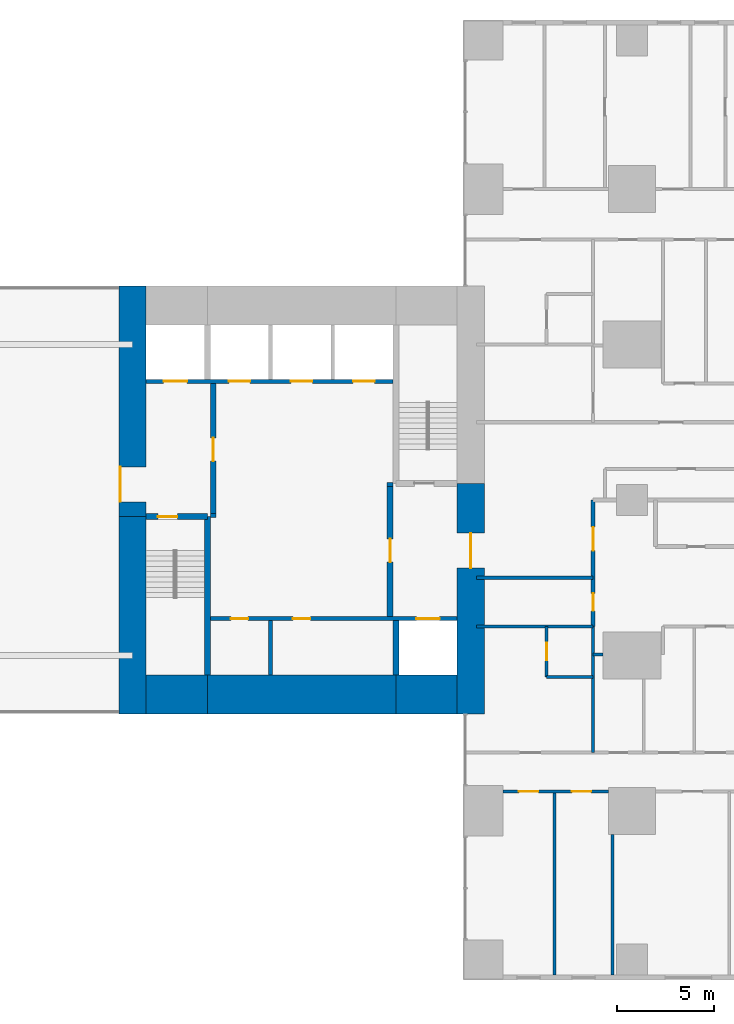
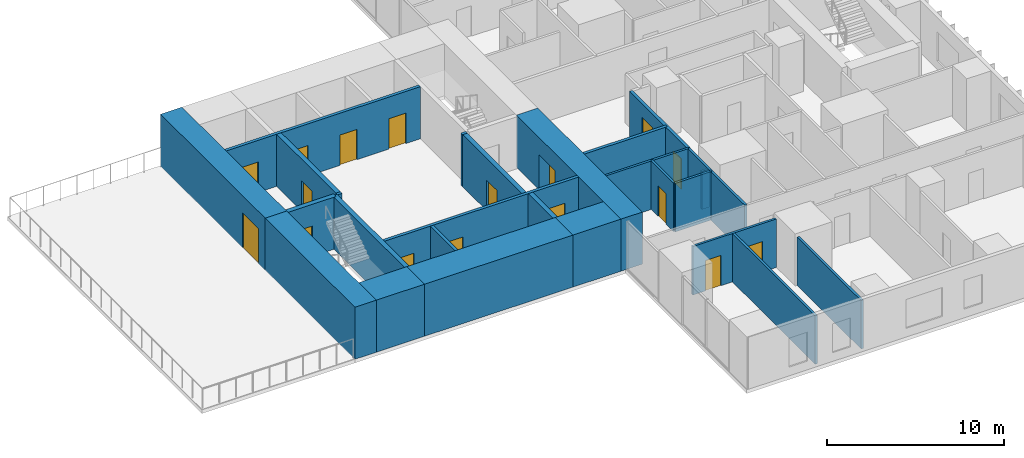
# One storey, part 9 of 14: 26 walls, 17 doors, 17 openings.
"""IFC4 building model written with IfcOpenShell, lengths in metres."""

from ifc_helpers import new_model, si_unit, direction, frame, frame_2d, origin, place, context, subcontext, project, spatial, rectangle, extrude, material, layer, layer_set, type_object, element, fill, save


model = new_model("IFC4")

# Units and contexts
model_context = context("Model", 3, precision=1e-05, world=origin(), true_north=direction((0.0, 1.0)))
body_context = subcontext(model_context, "Body", "Model", "MODEL_VIEW")
ifc_project = project(units=[si_unit("LENGTHUNIT", "METRE"), si_unit("AREAUNIT", "SQUARE_METRE"), si_unit("VOLUMEUNIT", "CUBIC_METRE"), si_unit("PLANEANGLEUNIT", "RADIAN"), si_unit("MASSUNIT", "GRAM", prefix="KILO")], contexts=[model_context])

# Site, building, storey
site_placement = place(None, origin())
site = spatial("IfcSite", under=ifc_project, at=site_placement, CompositionType="ELEMENT")
building_placement = place(site_placement, origin())
building = spatial("IfcBuilding", under=site, at=building_placement, Name="Cleftline Residences", CompositionType="ELEMENT")
storey_placement = place(building_placement, frame((0.0, 0.0, 230.39990234375)))
storey = spatial("IfcBuildingStorey", under=building, at=storey_placement, Name="L60", CompositionType="ELEMENT", Elevation=230.39990234375)

# Wall
ifc_material_1 = material(Name="Concrete B70", Category="concrete")
ifc_layer_1 = layer(ifc_material_1, 1.39990234375)
ifc_layer_set_1 = layer_set([ifc_layer_1], Name="CORE WALL 1400")
wall_type_1 = type_object("IfcWallType", Name="CORE WALL 1400", PredefinedType="SHEAR", material=ifc_layer_set_1)
wall_1_placement = place(storey_placement, frame((24.300048828125, 13.0, 0.0), z_axis=(0.0, 0.0, 1.0), x_axis=(0.0, 1.0, 0.0)))
element("IfcWall", 1, at=wall_1_placement, inside=storey, type_object=wall_type_1, Name="Core wall W0", PredefinedType="SHEAR", context=body_context, shape_type="SweptSolid", body=[
    extrude(rectangle(XDim=10.14990234375, YDim=1.39990234375, at=frame_2d((5.074951171875, 0.0))), origin(), (0.0, 0.0, 1.0), 3.60009765625),
])

# Wall, opening, door
wall_2_placement = place(storey_placement, frame((24.300048828125, 23.14990234375, 0.0), z_axis=(0.0, 0.0, 1.0), x_axis=(0.0, 1.0, 0.0)))
wall_2 = element("IfcWall", 2, at=wall_2_placement, inside=storey, type_object=wall_type_1, Name="Core wall W", PredefinedType="SHEAR", context=body_context, shape_type="SweptSolid", body=[
    extrude(rectangle(XDim=11.85009765625, YDim=1.39990234375, at=frame_2d((5.925048828125, 0.0))), origin(), (0.0, 0.0, 1.0), 3.60009765625),
])
opening_1_placement = place(wall_2_placement, frame((0.75, 0.0, 0.0)))
opening_1 = element("IfcOpeningElement", 3, at=opening_1_placement, cuts=wall_2, Name="Opening D8", PredefinedType="OPENING", context=body_context, shape_type="SweptSolid", body=[
    extrude(rectangle(XDim=1.800048828125, YDim=2.39990234375, at=frame_2d((0.89990234375, 1.199951171875))), frame((0.0, 0.7099609375, 0.0), z_axis=(0.0, -1.0, 0.0), x_axis=(1.0, 0.0, 0.0)), (0.0, 0.0, 1.0), 1.419921875),
])
ifc_material_2 = material(Name="Aluminium framed glazed door", Category="aluminium")
door_type_1 = type_object("IfcDoorType", Name="EXTERNAL GARDEN DOOR 1800X2400", OperationType="DOUBLE_DOOR_DOUBLE_SWING", PredefinedType="DOOR", material=ifc_material_2)
door_1_placement = place(opening_1_placement, origin())
door_1 = element("IfcDoor", 4, at=door_1_placement, inside=storey, type_object=door_type_1, Name="Sky terrace door", OperationType="DOUBLE_DOOR_DOUBLE_SWING", OverallHeight=2.39990234375, OverallWidth=1.800048828125, PredefinedType="DOOR", context=body_context, shape_type="SweptSolid", body=[
    extrude(rectangle(XDim=1.800048828125, YDim=2.39990234375, at=frame_2d((0.89990234375, 1.199951171875))), frame((0.0, 0.64990234375, 0.0), z_axis=(0.0, -1.0, 0.0), x_axis=(1.0, 0.0, 0.0)), (0.0, 0.0, 1.0), 0.050048828125),
])
fill(opening_1, door_1)

wall_3_placement = place(storey_placement, frame((41.699951171875, 13.0, 0.0), z_axis=(0.0, 0.0, 1.0), x_axis=(0.0, 1.0, 0.0)))
wall_3 = element("IfcWall", 5, at=wall_3_placement, inside=storey, type_object=wall_type_1, Name="Core wall E", PredefinedType="SHEAR", context=body_context, shape_type="SweptSolid", body=[
    extrude(rectangle(XDim=11.85009765625, YDim=1.39990234375, at=frame_2d((5.925048828125, 0.0))), origin(), (0.0, 0.0, 1.0), 3.60009765625),
])
opening_2_placement = place(wall_3_placement, frame((7.5, 0.0, 0.0)))
opening_2 = element("IfcOpeningElement", 6, at=opening_2_placement, cuts=wall_3, Name="Opening D7", PredefinedType="OPENING", context=body_context, shape_type="SweptSolid", body=[
    extrude(rectangle(XDim=1.800048828125, YDim=2.39990234375, at=frame_2d((0.89990234375, 1.199951171875))), frame((0.0, 0.7099609375, 0.0), z_axis=(0.0, -1.0, 0.0), x_axis=(1.0, 0.0, 0.0)), (0.0, 0.0, 1.0), 1.419921875),
])
ifc_material_3 = material(Name="Steel", Category="steel")
door_type_2 = type_object("IfcDoorType", Name="WING DOOR 1800X2400", OperationType="DOUBLE_DOOR_DOUBLE_SWING", PredefinedType="DOOR", material=ifc_material_3)
door_2_placement = place(opening_2_placement, origin())
door_2 = element("IfcDoor", 7, at=door_2_placement, inside=storey, type_object=door_type_2, Name="East wing door", OperationType="DOUBLE_DOOR_DOUBLE_SWING", OverallHeight=2.39990234375, OverallWidth=1.800048828125, PredefinedType="DOOR", context=body_context, shape_type="SweptSolid", body=[
    extrude(rectangle(XDim=1.800048828125, YDim=2.39990234375, at=frame_2d((0.89990234375, 1.199951171875))), frame((0.0, 0.02490234375, 0.0), z_axis=(0.0, -1.0, 0.0), x_axis=(1.0, 0.0, 0.0)), (0.0, 0.0, 1.0), 0.050048828125),
])
fill(opening_2, door_2)

# Walls
ifc_material_4 = material(Name="Concrete B70", Category="concrete")
ifc_layer_2 = layer(ifc_material_4, 2.0)
ifc_layer_set_2 = layer_set([ifc_layer_2], Name="CORE WALL 2000")
wall_type_2 = type_object("IfcWallType", Name="CORE WALL 2000", PredefinedType="SHEAR", material=ifc_layer_set_2)
wall_4_placement = place(storey_placement, frame((25.0, 14.0, 0.0), z_axis=(0.0, 0.0, 1.0), x_axis=(1.0, 0.0, 0.0)))
element("IfcWall", 8, at=wall_4_placement, inside=storey, type_object=wall_type_2, Name="Core wall S1", PredefinedType="SHEAR", context=body_context, shape_type="SweptSolid", body=[
    extrude(rectangle(XDim=3.14990234375, YDim=2.0, at=frame_2d((1.574951171875, 0.0))), origin(), (0.0, 0.0, 1.0), 3.60009765625),
])
wall_5_placement = place(storey_placement, frame((28.14990234375, 14.0, 0.0), z_axis=(0.0, 0.0, 1.0), x_axis=(1.0, 0.0, 0.0)))
element("IfcWall", 9, at=wall_5_placement, inside=storey, type_object=wall_type_2, Name="Core wall S2", PredefinedType="SHEAR", context=body_context, shape_type="SweptSolid", body=[
    extrude(rectangle(XDim=9.7001953125, YDim=2.0, at=frame_2d((4.85009765625, 0.0))), origin(), (0.0, 0.0, 1.0), 3.60009765625),
])
wall_6_placement = place(storey_placement, frame((37.85009765625, 14.0, 0.0), z_axis=(0.0, 0.0, 1.0), x_axis=(1.0, 0.0, 0.0)))
element("IfcWall", 10, at=wall_6_placement, inside=storey, type_object=wall_type_2, Name="Core wall S3", PredefinedType="SHEAR", context=body_context, shape_type="SweptSolid", body=[
    extrude(rectangle(XDim=3.14990234375, YDim=2.0, at=frame_2d((1.574951171875, 0.0))), origin(), (0.0, 0.0, 1.0), 3.60009765625),
])
ifc_material_5 = material(Name="Concrete B70", Category="concrete")
ifc_layer_3 = layer(ifc_material_5, 0.300048828125)
ifc_layer_set_3 = layer_set([ifc_layer_3], Name="CORE WALL 300")
wall_type_3 = type_object("IfcWallType", Name="CORE WALL 300", PredefinedType="SHEAR", material=ifc_layer_set_3)
wall_7_placement = place(storey_placement, frame((28.14990234375, 15.0, 0.0), z_axis=(0.0, 0.0, 1.0), x_axis=(0.0, 1.0, 0.0)))
element("IfcWall", 11, at=wall_7_placement, inside=storey, type_object=wall_type_3, Name="Core wall SA-E", PredefinedType="SHEAR", context=body_context, shape_type="SweptSolid", body=[
    extrude(rectangle(XDim=8.14990234375, YDim=0.300048828125, at=frame_2d((4.074951171875, 0.0))), origin(), (0.0, 0.0, 1.0), 3.60009765625),
])

# Wall, opening, door
wall_8_placement = place(storey_placement, frame((25.0, 23.14990234375, 0.0), z_axis=(0.0, 0.0, 1.0), x_axis=(1.0, 0.0, 0.0)))
wall_8 = element("IfcWall", 12, at=wall_8_placement, inside=storey, type_object=wall_type_3, Name="Core wall SA-N", PredefinedType="SHEAR", context=body_context, shape_type="SweptSolid", body=[
    extrude(rectangle(XDim=3.14990234375, YDim=0.300048828125, at=frame_2d((1.574951171875, 0.0))), origin(), (0.0, 0.0, 1.0), 3.60009765625),
])
opening_3_placement = place(wall_8_placement, frame((0.60009765625, 0.0, 0.0)))
opening_3 = element("IfcOpeningElement", 13, at=opening_3_placement, cuts=wall_8, Name="Opening D5", PredefinedType="OPENING", context=body_context, shape_type="SweptSolid", body=[
    extrude(rectangle(XDim=1.0, YDim=2.10009765625, at=frame_2d((0.5, 1.050048828125))), frame((0.0, 0.159912109375, 0.0), z_axis=(0.0, -1.0, 0.0), x_axis=(1.0, 0.0, 0.0)), (0.0, 0.0, 1.0), 0.320068359375),
])
ifc_material_6 = material(Name="Steel", Category="steel")
door_type_3 = type_object("IfcDoorType", Name="STAIR DOOR 1000X2100", OperationType="SINGLE_SWING_LEFT", PredefinedType="DOOR", material=ifc_material_6)
door_3_placement = place(opening_3_placement, origin())
door_3 = element("IfcDoor", 14, at=door_3_placement, inside=storey, type_object=door_type_3, Name="Stair A door", OperationType="SINGLE_SWING_RIGHT", OverallHeight=2.10009765625, OverallWidth=1.0, PredefinedType="DOOR", context=body_context, shape_type="SweptSolid", body=[
    extrude(rectangle(XDim=1.0, YDim=2.10009765625, at=frame_2d((0.5, 1.050048828125))), frame((0.0, 0.02490234375, 0.0), z_axis=(0.0, -1.0, 0.0), x_axis=(1.0, 0.0, 0.0)), (0.0, 0.0, 1.0), 0.050048828125),
])
fill(opening_3, door_3)

# Walls
wall_9_placement = place(storey_placement, frame((37.85009765625, 15.0, 0.0), z_axis=(0.0, 0.0, 1.0), x_axis=(0.0, 1.0, 0.0)))
element("IfcWall", 15, at=wall_9_placement, inside=storey, type_object=wall_type_3, Name="Lift shaft wall", PredefinedType="SHEAR", context=body_context, shape_type="SweptSolid", body=[
    extrude(rectangle(XDim=2.800048828125, YDim=0.300048828125, at=frame_2d((1.39990234375, 0.0))), origin(), (0.0, 0.0, 1.0), 3.60009765625),
])
ifc_material_7 = material(Name="Concrete blockwork, fire rated", Category="masonry")
ifc_layer_4 = layer(ifc_material_7, 0.199951171875)
ifc_layer_set_4 = layer_set([ifc_layer_4], Name="FIRE WALL 200")
wall_type_4 = type_object("IfcWallType", Name="FIRE WALL 200", PredefinedType="PARTITIONING", material=ifc_layer_set_4)
wall_10_placement = place(storey_placement, frame((42.0, 20.0, 0.0), z_axis=(0.0, 0.0, 1.0), x_axis=(1.0, 0.0, 0.0)))
element("IfcWall", 16, at=wall_10_placement, inside=storey, type_object=wall_type_4, Name="Fire separating wall", PredefinedType="PARTITIONING", context=body_context, shape_type="SweptSolid", body=[
    extrude(rectangle(XDim=6.0, YDim=0.199951171875, at=frame_2d((3.0, 0.0))), origin(), (0.0, 0.0, 1.0), 3.35009765625),
])

# Wall, openings, doors
wall_11_placement = place(storey_placement, frame((48.0, 17.5, 0.0), z_axis=(0.0, 0.0, 1.0), x_axis=(0.0, 1.0, 0.0)))
wall_11 = element("IfcWall", 17, at=wall_11_placement, inside=storey, type_object=wall_type_4, Name="Fire separating wall", PredefinedType="PARTITIONING", context=body_context, shape_type="SweptSolid", body=[
    extrude(rectangle(XDim=6.5, YDim=0.199951171875, at=frame_2d((3.25, 0.0))), origin(), (0.0, 0.0, 1.0), 3.35009765625),
])
opening_4_placement = place(wall_11_placement, frame((3.89990234375, 0.0, 0.0)))
opening_4 = element("IfcOpeningElement", 18, at=opening_4_placement, cuts=wall_11, Name="Opening D4", PredefinedType="OPENING", context=body_context, shape_type="SweptSolid", body=[
    extrude(rectangle(XDim=1.199951171875, YDim=2.39990234375, at=frame_2d((0.60009765625, 1.199951171875))), frame((0.0, 0.10986328125, 0.0), z_axis=(0.0, -1.0, 0.0), x_axis=(1.0, 0.0, 0.0)), (0.0, 0.0, 1.0), 0.219970703125),
])
opening_5_placement = place(wall_11_placement, frame((0.800048828125, 0.0, 0.0)))
opening_5 = element("IfcOpeningElement", 19, at=opening_5_placement, cuts=wall_11, Name="Opening D1F30", PredefinedType="OPENING", context=body_context, shape_type="SweptSolid", body=[
    extrude(rectangle(XDim=0.89990234375, YDim=2.10009765625, at=frame_2d((0.449951171875, 1.050048828125))), frame((0.0, 0.10986328125, 0.0), z_axis=(0.0, -1.0, 0.0), x_axis=(1.0, 0.0, 0.0)), (0.0, 0.0, 1.0), 0.219970703125),
])
ifc_material_8 = material(Name="Timber veneer on solid core", Category="wood")
door_type_4 = type_object("IfcDoorType", Name="APARTMENT ENTRANCE DOOR 1200X2400", OperationType="SINGLE_SWING_RIGHT", PredefinedType="DOOR", material=ifc_material_8)
door_4_placement = place(opening_4_placement, origin())
door_4 = element("IfcDoor", 20, at=door_4_placement, inside=storey, type_object=door_type_4, Name="Door to residence entrance foyer", OperationType="SINGLE_SWING_LEFT", OverallHeight=2.39990234375, OverallWidth=1.199951171875, PredefinedType="DOOR", context=body_context, shape_type="SweptSolid", body=[
    extrude(rectangle(XDim=1.199951171875, YDim=2.39990234375, at=frame_2d((0.60009765625, 1.199951171875))), frame((0.0, 0.02490234375, 0.0), z_axis=(0.0, -1.0, 0.0), x_axis=(1.0, 0.0, 0.0)), (0.0, 0.0, 1.0), 0.050048828125),
])
fill(opening_4, door_4)
ifc_material_9 = material(Name="Timber veneer on solid core", Category="wood")
door_type_5 = type_object("IfcDoorType", Name="DOOR 900X2100 EI 30", OperationType="SINGLE_SWING_LEFT", PredefinedType="DOOR", material=ifc_material_9)
door_5_placement = place(opening_5_placement, origin())
door_5 = element("IfcDoor", 21, at=door_5_placement, inside=storey, type_object=door_type_5, Name="Door to utility room", OperationType="SINGLE_SWING_RIGHT", OverallHeight=2.10009765625, OverallWidth=0.89990234375, PredefinedType="DOOR", context=body_context, shape_type="SweptSolid", body=[
    extrude(rectangle(XDim=0.89990234375, YDim=2.10009765625, at=frame_2d((0.449951171875, 1.050048828125))), frame((0.0, 0.02490234375, 0.0), z_axis=(0.0, -1.0, 0.0), x_axis=(1.0, 0.0, 0.0)), (0.0, 0.0, 1.0), 0.050048828125),
])
fill(opening_5, door_5)

# Walls
for number, where, z_axis, x_axis, name in (
    (22, (28.300048828125, 23.199951171875, 0.0), (0.0, 0.0, 1.0), (1.0, 0.0, 0.0), "Fire separating wall"),
    (23, (37.39990234375, 24.800048828125, 0.0), (0.0, 0.0, 1.0), (1.0, 0.0, 0.0), "Fire separating wall"),
):
    element("IfcWall", number, at=place(storey_placement, frame(where, z_axis=z_axis, x_axis=x_axis)), inside=storey, type_object=wall_type_4, Name=name, PredefinedType="PARTITIONING", context=body_context, shape_type="SweptSolid", body=[
        extrude(rectangle(XDim=0.300048828125, YDim=0.199951171875, at=frame_2d((0.14990234375, 0.0))), origin(), (0.0, 0.0, 1.0), 3.60009765625),
    ])

# Wall, openings, doors
ifc_material_10 = material(Name="Gypsum board on steel studs", Category="steel")
ifc_layer_5 = layer(ifc_material_10, 0.14990234375)
ifc_layer_set_5 = layer_set([ifc_layer_5], Name="PARTITION 150")
wall_type_5 = type_object("IfcWallType", Name="PARTITION 150", PredefinedType="PARTITIONING", material=ifc_layer_set_5)
wall_12_placement = place(storey_placement, frame((43.35009765625, 9.0, 0.0), z_axis=(0.0, 0.0, 1.0), x_axis=(1.0, 0.0, 0.0)))
wall_12 = element("IfcWall", 24, at=wall_12_placement, inside=storey, type_object=wall_type_5, Name="Partition", PredefinedType="PARTITIONING", context=body_context, shape_type="SweptSolid", body=[
    extrude(rectangle(XDim=5.449951171875, YDim=0.14990234375, at=frame_2d((2.72509765625, 0.0))), origin(), (0.0, 0.0, 1.0), 3.35009765625),
])
opening_6_placement = place(wall_12_placement, frame((3.550048828125, 0.0, 0.0)))
opening_6 = element("IfcOpeningElement", 25, at=opening_6_placement, cuts=wall_12, Name="Opening D2", PredefinedType="OPENING", context=body_context, shape_type="SweptSolid", body=[
    extrude(rectangle(XDim=1.0, YDim=2.10009765625, at=frame_2d((0.5, 1.050048828125))), frame((0.0, 0.0849609375, 0.0), z_axis=(0.0, -1.0, 0.0), x_axis=(1.0, 0.0, 0.0)), (0.0, 0.0, 1.0), 0.169921875),
])
opening_7_placement = place(wall_12_placement, frame((0.824951171875, 0.0, 0.0)))
opening_7 = element("IfcOpeningElement", 26, at=opening_7_placement, cuts=wall_12, Name="Opening D2", PredefinedType="OPENING", context=body_context, shape_type="SweptSolid", body=[
    extrude(rectangle(XDim=1.0, YDim=2.10009765625, at=frame_2d((0.5, 1.050048828125))), frame((0.0, 0.0849609375, 0.0), z_axis=(0.0, -1.0, 0.0), x_axis=(1.0, 0.0, 0.0)), (0.0, 0.0, 1.0), 0.169921875),
])
ifc_material_11 = material(Name="Timber veneer on solid core", Category="wood")
door_type_6 = type_object("IfcDoorType", Name="DOOR 1000X2100", OperationType="SINGLE_SWING_LEFT", PredefinedType="DOOR", material=ifc_material_11)
door_6_placement = place(opening_6_placement, origin())
door_6 = element("IfcDoor", 27, at=door_6_placement, inside=storey, type_object=door_type_6, Name="Door to breakfast room", OperationType="SINGLE_SWING_LEFT", OverallHeight=2.10009765625, OverallWidth=1.0, PredefinedType="DOOR", context=body_context, shape_type="SweptSolid", body=[
    extrude(rectangle(XDim=1.0, YDim=2.10009765625, at=frame_2d((0.5, 1.050048828125))), frame((0.0, 0.02490234375, 0.0), z_axis=(0.0, -1.0, 0.0), x_axis=(1.0, 0.0, 0.0)), (0.0, 0.0, 1.0), 0.050048828125),
])
fill(opening_6, door_6)
door_7_placement = place(opening_7_placement, origin())
door_7 = element("IfcDoor", 28, at=door_7_placement, inside=storey, type_object=door_type_6, Name="Door to show kitchen", OperationType="SINGLE_SWING_RIGHT", OverallHeight=2.10009765625, OverallWidth=1.0, PredefinedType="DOOR", context=body_context, shape_type="SweptSolid", body=[
    extrude(rectangle(XDim=1.0, YDim=2.10009765625, at=frame_2d((0.5, 1.050048828125))), frame((0.0, 0.02490234375, 0.0), z_axis=(0.0, -1.0, 0.0), x_axis=(1.0, 0.0, 0.0)), (0.0, 0.0, 1.0), 0.050048828125),
])
fill(opening_7, door_7)

# Walls
wall_13_placement = place(storey_placement, frame((45.60009765625, 14.89990234375, 0.0), z_axis=(0.0, 0.0, 1.0), x_axis=(1.0, 0.0, 0.0)))
element("IfcWall", 29, at=wall_13_placement, inside=storey, type_object=wall_type_5, Name="Partition", PredefinedType="PARTITIONING", context=body_context, shape_type="SweptSolid", body=[
    extrude(rectangle(XDim=2.39990234375, YDim=0.14990234375, at=frame_2d((1.199951171875, 0.0))), origin(), (0.0, 0.0, 1.0), 3.35009765625),
])
wall_14_placement = place(storey_placement, frame((48.0, 16.050048828125, 0.0), z_axis=(0.0, 0.0, 1.0), x_axis=(1.0, 0.0, 0.0)))
element("IfcWall", 30, at=wall_14_placement, inside=storey, type_object=wall_type_5, Name="Partition", PredefinedType="PARTITIONING", context=body_context, shape_type="SweptSolid", body=[
    extrude(rectangle(XDim=0.5, YDim=0.14990234375, at=frame_2d((0.25, 0.0))), origin(), (0.0, 0.0, 1.0), 2.634033203125),
])
wall_15_placement = place(storey_placement, frame((42.0, 17.5, 0.0), z_axis=(0.0, 0.0, 1.0), x_axis=(1.0, 0.0, 0.0)))
element("IfcWall", 31, at=wall_15_placement, inside=storey, type_object=wall_type_5, Name="Partition", PredefinedType="PARTITIONING", context=body_context, shape_type="SweptSolid", body=[
    extrude(rectangle(XDim=6.0, YDim=0.14990234375, at=frame_2d((3.0, 0.0))), origin(), (0.0, 0.0, 1.0), 3.35009765625),
])

# Wall, opening, door
wall_16_placement = place(storey_placement, frame((45.60009765625, 14.89990234375, 0.0), z_axis=(0.0, 0.0, 1.0), x_axis=(0.0, 1.0, 0.0)))
wall_16 = element("IfcWall", 32, at=wall_16_placement, inside=storey, type_object=wall_type_5, Name="Partition", PredefinedType="PARTITIONING", context=body_context, shape_type="SweptSolid", body=[
    extrude(rectangle(XDim=2.60009765625, YDim=0.14990234375, at=frame_2d((1.300048828125, 0.0))), origin(), (0.0, 0.0, 1.0), 3.35009765625),
])
opening_8_placement = place(wall_16_placement, frame((0.85009765625, 0.0, 0.0)))
opening_8 = element("IfcOpeningElement", 33, at=opening_8_placement, cuts=wall_16, Name="Opening D1", PredefinedType="OPENING", context=body_context, shape_type="SweptSolid", body=[
    extrude(rectangle(XDim=0.89990234375, YDim=2.10009765625, at=frame_2d((0.449951171875, 1.050048828125))), frame((0.0, 0.0849609375, 0.0), z_axis=(0.0, -1.0, 0.0), x_axis=(1.0, 0.0, 0.0)), (0.0, 0.0, 1.0), 0.169921875),
])
ifc_material_12 = material(Name="Timber veneer on solid core", Category="wood")
door_type_7 = type_object("IfcDoorType", Name="DOOR 900X2100", OperationType="SINGLE_SWING_LEFT", PredefinedType="DOOR", material=ifc_material_12)
door_8_placement = place(opening_8_placement, origin())
door_8 = element("IfcDoor", 34, at=door_8_placement, inside=storey, type_object=door_type_7, Name="Door to staff shower room", OperationType="SINGLE_SWING_LEFT", OverallHeight=2.10009765625, OverallWidth=0.89990234375, PredefinedType="DOOR", context=body_context, shape_type="SweptSolid", body=[
    extrude(rectangle(XDim=0.89990234375, YDim=2.10009765625, at=frame_2d((0.449951171875, 1.050048828125))), frame((0.0, 0.02490234375, 0.0), z_axis=(0.0, -1.0, 0.0), x_axis=(1.0, 0.0, 0.0)), (0.0, 0.0, 1.0), 0.050048828125),
])
fill(opening_8, door_8)

# Walls
wall_17_placement = place(storey_placement, frame((46.0, -0.449951171875, 0.0), z_axis=(0.0, 0.0, 1.0), x_axis=(0.0, 1.0, 0.0)))
element("IfcWall", 35, at=wall_17_placement, inside=storey, type_object=wall_type_5, Name="Partition", PredefinedType="PARTITIONING", context=body_context, shape_type="SweptSolid", body=[
    extrude(rectangle(XDim=9.449951171875, YDim=0.14990234375, at=frame_2d((4.72509765625, 0.0))), origin(), (0.0, 0.0, 1.0), 3.35009765625),
])
wall_18_placement = place(storey_placement, frame((48.0, 11.0, 0.0), z_axis=(0.0, 0.0, 1.0), x_axis=(0.0, 1.0, 0.0)))
element("IfcWall", 36, at=wall_18_placement, inside=storey, type_object=wall_type_5, Name="Partition", PredefinedType="PARTITIONING", context=body_context, shape_type="SweptSolid", body=[
    extrude(rectangle(XDim=6.5, YDim=0.14990234375, at=frame_2d((3.25, 0.0))), origin(), (0.0, 0.0, 1.0), 3.35009765625),
])
wall_19_placement = place(storey_placement, frame((49.0, -0.449951171875, 0.0), z_axis=(0.0, 0.0, 1.0), x_axis=(0.0, 1.0, 0.0)))
element("IfcWall", 37, at=wall_19_placement, inside=storey, type_object=wall_type_5, Name="Partition", PredefinedType="PARTITIONING", context=body_context, shape_type="SweptSolid", body=[
    extrude(rectangle(XDim=7.25, YDim=0.14990234375, at=frame_2d((3.625, 0.0))), origin(), (0.0, 0.0, 1.0), 3.35009765625),
])

# Wall, openings, doors
ifc_material_13 = material(Name="Concrete blockwork, fire rated", Category="masonry")
ifc_layer_6 = layer(ifc_material_13, 0.199951171875)
ifc_layer_set_6 = layer_set([ifc_layer_6], Name="SHAFT WALL 200")
wall_type_6 = type_object("IfcWallType", Name="SHAFT WALL 200", PredefinedType="PARTITIONING", material=ifc_layer_set_6)
wall_20_placement = place(storey_placement, frame((28.300048828125, 17.89990234375, 0.0), z_axis=(0.0, 0.0, 1.0), x_axis=(1.0, 0.0, 0.0)))
wall_20 = element("IfcWall", 38, at=wall_20_placement, inside=storey, type_object=wall_type_6, Name="Core room wall", PredefinedType="PARTITIONING", context=body_context, shape_type="SweptSolid", body=[
    extrude(rectangle(XDim=12.699951171875, YDim=0.199951171875, at=frame_2d((6.35009765625, 0.0))), origin(), (0.0, 0.0, 1.0), 3.60009765625),
])
opening_9_placement = place(wall_20_placement, frame((1.050048828125, 0.0, 0.0)))
opening_9 = element("IfcOpeningElement", 39, at=opening_9_placement, cuts=wall_20, Name="Opening D1F30", PredefinedType="OPENING", context=body_context, shape_type="SweptSolid", body=[
    extrude(rectangle(XDim=0.89990234375, YDim=2.10009765625, at=frame_2d((0.449951171875, 1.050048828125))), frame((0.0, 0.10986328125, 0.0), z_axis=(0.0, -1.0, 0.0), x_axis=(1.0, 0.0, 0.0)), (0.0, 0.0, 1.0), 0.219970703125),
])
opening_10_placement = place(wall_20_placement, frame((4.25, 0.0, 0.0)))
opening_10 = element("IfcOpeningElement", 40, at=opening_10_placement, cuts=wall_20, Name="Opening D1F30", PredefinedType="OPENING", context=body_context, shape_type="SweptSolid", body=[
    extrude(rectangle(XDim=0.89990234375, YDim=2.10009765625, at=frame_2d((0.449951171875, 1.050048828125))), frame((0.0, 0.10986328125, 0.0), z_axis=(0.0, -1.0, 0.0), x_axis=(1.0, 0.0, 0.0)), (0.0, 0.0, 1.0), 0.219970703125),
])
opening_11_placement = place(wall_20_placement, frame((10.60009765625, 0.0, 0.0)))
opening_11 = element("IfcOpeningElement", 41, at=opening_11_placement, cuts=wall_20, Name="Opening LD2", PredefinedType="OPENING", context=body_context, shape_type="SweptSolid", body=[
    extrude(rectangle(XDim=1.199951171875, YDim=2.10009765625, at=frame_2d((0.60009765625, 1.050048828125))), frame((0.0, 0.10986328125, 0.0), z_axis=(0.0, -1.0, 0.0), x_axis=(1.0, 0.0, 0.0)), (0.0, 0.0, 1.0), 0.219970703125),
])
door_9_placement = place(opening_9_placement, origin())
door_9 = element("IfcDoor", 42, at=door_9_placement, inside=storey, type_object=door_type_5, Name="Door to housekeeping store", OperationType="SINGLE_SWING_RIGHT", OverallHeight=2.10009765625, OverallWidth=0.89990234375, PredefinedType="DOOR", context=body_context, shape_type="SweptSolid", body=[
    extrude(rectangle(XDim=0.89990234375, YDim=2.10009765625, at=frame_2d((0.449951171875, 1.050048828125))), frame((0.0, 0.02490234375, 0.0), z_axis=(0.0, -1.0, 0.0), x_axis=(1.0, 0.0, 0.0)), (0.0, 0.0, 1.0), 0.050048828125),
])
fill(opening_9, door_9)
door_10_placement = place(opening_10_placement, origin())
door_10 = element("IfcDoor", 43, at=door_10_placement, inside=storey, type_object=door_type_5, Name="Door to linen store", OperationType="SINGLE_SWING_RIGHT", OverallHeight=2.10009765625, OverallWidth=0.89990234375, PredefinedType="DOOR", context=body_context, shape_type="SweptSolid", body=[
    extrude(rectangle(XDim=0.89990234375, YDim=2.10009765625, at=frame_2d((0.449951171875, 1.050048828125))), frame((0.0, 0.02490234375, 0.0), z_axis=(0.0, -1.0, 0.0), x_axis=(1.0, 0.0, 0.0)), (0.0, 0.0, 1.0), 0.050048828125),
])
fill(opening_10, door_10)
ifc_material_14 = material(Name="Steel", Category="steel")
door_type_8 = type_object("IfcDoorType", Name="FIREFIGHTING LIFT LANDING DOOR 1200X2100", OperationType="SLIDING_TO_LEFT", PredefinedType="DOOR", material=ifc_material_14)
door_11_placement = place(opening_11_placement, origin())
door_11 = element("IfcDoor", 44, at=door_11_placement, inside=storey, type_object=door_type_8, Name="Lift FL2 landing door", OperationType="SLIDING_TO_LEFT", OverallHeight=2.10009765625, OverallWidth=1.199951171875, PredefinedType="DOOR", context=body_context, shape_type="SweptSolid", body=[
    extrude(rectangle(XDim=1.199951171875, YDim=2.10009765625, at=frame_2d((0.60009765625, 1.050048828125))), frame((0.0, 0.02490234375, 0.0), z_axis=(0.0, -1.0, 0.0), x_axis=(1.0, 0.0, 0.0)), (0.0, 0.0, 1.0), 0.050048828125),
])
fill(opening_11, door_11)

wall_21_placement = place(storey_placement, frame((25.0, 30.10009765625, 0.0), z_axis=(0.0, 0.0, 1.0), x_axis=(1.0, 0.0, 0.0)))
wall_21 = element("IfcWall", 45, at=wall_21_placement, inside=storey, type_object=wall_type_6, Name="Lift shaft wall", PredefinedType="PARTITIONING", context=body_context, shape_type="SweptSolid", body=[
    extrude(rectangle(XDim=12.699951171875, YDim=0.199951171875, at=frame_2d((6.35009765625, 0.0))), origin(), (0.0, 0.0, 1.0), 3.60009765625),
])
opening_12_placement = place(wall_21_placement, frame((4.25, 0.0, 0.0)))
opening_12 = element("IfcOpeningElement", 46, at=opening_12_placement, cuts=wall_21, Name="Opening LD1", PredefinedType="OPENING", context=body_context, shape_type="SweptSolid", body=[
    extrude(rectangle(XDim=1.10009765625, YDim=2.10009765625, at=frame_2d((0.550048828125, 1.050048828125))), frame((0.0, 0.10986328125, 0.0), z_axis=(0.0, -1.0, 0.0), x_axis=(1.0, 0.0, 0.0)), (0.0, 0.0, 1.0), 0.219970703125),
])
opening_13_placement = place(wall_21_placement, frame((7.449951171875, 0.0, 0.0)))
opening_13 = element("IfcOpeningElement", 47, at=opening_13_placement, cuts=wall_21, Name="Opening LD1", PredefinedType="OPENING", context=body_context, shape_type="SweptSolid", body=[
    extrude(rectangle(XDim=1.10009765625, YDim=2.10009765625, at=frame_2d((0.550048828125, 1.050048828125))), frame((0.0, 0.10986328125, 0.0), z_axis=(0.0, -1.0, 0.0), x_axis=(1.0, 0.0, 0.0)), (0.0, 0.0, 1.0), 0.219970703125),
])
opening_14_placement = place(wall_21_placement, frame((10.64990234375, 0.0, 0.0)))
opening_14 = element("IfcOpeningElement", 48, at=opening_14_placement, cuts=wall_21, Name="Opening LD1", PredefinedType="OPENING", context=body_context, shape_type="SweptSolid", body=[
    extrude(rectangle(XDim=1.10009765625, YDim=2.10009765625, at=frame_2d((0.550048828125, 1.050048828125))), frame((0.0, 0.10986328125, 0.0), z_axis=(0.0, -1.0, 0.0), x_axis=(1.0, 0.0, 0.0)), (0.0, 0.0, 1.0), 0.219970703125),
])
opening_15_placement = place(wall_21_placement, frame((0.89990234375, 0.0, 0.0)))
opening_15 = element("IfcOpeningElement", 49, at=opening_15_placement, cuts=wall_21, Name="Opening LD2", PredefinedType="OPENING", context=body_context, shape_type="SweptSolid", body=[
    extrude(rectangle(XDim=1.199951171875, YDim=2.10009765625, at=frame_2d((0.60009765625, 1.050048828125))), frame((0.0, 0.10986328125, 0.0), z_axis=(0.0, -1.0, 0.0), x_axis=(1.0, 0.0, 0.0)), (0.0, 0.0, 1.0), 0.219970703125),
])
door_12_placement = place(opening_15_placement, origin())
door_12 = element("IfcDoor", 50, at=door_12_placement, inside=storey, type_object=door_type_8, Name="Lift FL1 landing door", OperationType="SLIDING_TO_LEFT", OverallHeight=2.10009765625, OverallWidth=1.199951171875, PredefinedType="DOOR", context=body_context, shape_type="SweptSolid", body=[
    extrude(rectangle(XDim=1.199951171875, YDim=2.10009765625, at=frame_2d((0.60009765625, 1.050048828125))), frame((0.0, 0.02490234375, 0.0), z_axis=(0.0, -1.0, 0.0), x_axis=(1.0, 0.0, 0.0)), (0.0, 0.0, 1.0), 0.050048828125),
])
fill(opening_15, door_12)
ifc_material_15 = material(Name="Steel", Category="steel")
door_type_9 = type_object("IfcDoorType", Name="LIFT LANDING DOOR 1100X2100", OperationType="SLIDING_TO_LEFT", PredefinedType="DOOR", material=ifc_material_15)
door_13_placement = place(opening_12_placement, origin())
door_13 = element("IfcDoor", 51, at=door_13_placement, inside=storey, type_object=door_type_9, Name="Lift P4 landing door", OperationType="SLIDING_TO_LEFT", OverallHeight=2.10009765625, OverallWidth=1.10009765625, PredefinedType="DOOR", context=body_context, shape_type="SweptSolid", body=[
    extrude(rectangle(XDim=1.10009765625, YDim=2.10009765625, at=frame_2d((0.550048828125, 1.050048828125))), frame((0.0, 0.02490234375, 0.0), z_axis=(0.0, -1.0, 0.0), x_axis=(1.0, 0.0, 0.0)), (0.0, 0.0, 1.0), 0.050048828125),
])
fill(opening_12, door_13)
door_14_placement = place(opening_13_placement, origin())
door_14 = element("IfcDoor", 52, at=door_14_placement, inside=storey, type_object=door_type_9, Name="Lift P5 landing door", OperationType="SLIDING_TO_LEFT", OverallHeight=2.10009765625, OverallWidth=1.10009765625, PredefinedType="DOOR", context=body_context, shape_type="SweptSolid", body=[
    extrude(rectangle(XDim=1.10009765625, YDim=2.10009765625, at=frame_2d((0.550048828125, 1.050048828125))), frame((0.0, 0.02490234375, 0.0), z_axis=(0.0, -1.0, 0.0), x_axis=(1.0, 0.0, 0.0)), (0.0, 0.0, 1.0), 0.050048828125),
])
fill(opening_13, door_14)
door_15_placement = place(opening_14_placement, origin())
door_15 = element("IfcDoor", 53, at=door_15_placement, inside=storey, type_object=door_type_9, Name="Lift P6 landing door", OperationType="SLIDING_TO_LEFT", OverallHeight=2.10009765625, OverallWidth=1.10009765625, PredefinedType="DOOR", context=body_context, shape_type="SweptSolid", body=[
    extrude(rectangle(XDim=1.10009765625, YDim=2.10009765625, at=frame_2d((0.550048828125, 1.050048828125))), frame((0.0, 0.02490234375, 0.0), z_axis=(0.0, -1.0, 0.0), x_axis=(1.0, 0.0, 0.0)), (0.0, 0.0, 1.0), 0.050048828125),
])
fill(opening_14, door_15)

# Wall
wall_22_placement = place(storey_placement, frame((31.39990234375, 15.0, 0.0), z_axis=(0.0, 0.0, 1.0), x_axis=(0.0, 1.0, 0.0)))
element("IfcWall", 54, at=wall_22_placement, inside=storey, type_object=wall_type_6, Name="Core room wall", PredefinedType="PARTITIONING", context=body_context, shape_type="SweptSolid", body=[
    extrude(rectangle(XDim=2.800048828125, YDim=0.199951171875, at=frame_2d((1.39990234375, 0.0))), origin(), (0.0, 0.0, 1.0), 3.60009765625),
])

# Wall, opening, door
ifc_material_16 = material(Name="Concrete blockwork, fire rated", Category="masonry")
ifc_layer_7 = layer(ifc_material_16, 0.300048828125)
ifc_layer_set_7 = layer_set([ifc_layer_7], Name="STAIR LOBBY WALL 300")
wall_type_7 = type_object("IfcWallType", Name="STAIR LOBBY WALL 300", PredefinedType="PARTITIONING", material=ifc_layer_set_7)
wall_23_placement = place(storey_placement, frame((28.449951171875, 23.300048828125, 0.0), z_axis=(0.0, 0.0, 1.0), x_axis=(0.0, 1.0, 0.0)))
wall_23 = element("IfcWall", 55, at=wall_23_placement, inside=storey, type_object=wall_type_7, Name="Stair and lobby wall FA-E", PredefinedType="PARTITIONING", context=body_context, shape_type="SweptSolid", body=[
    extrude(rectangle(XDim=6.699951171875, YDim=0.300048828125, at=frame_2d((3.35009765625, 0.0))), origin(), (0.0, 0.0, 1.0), 3.60009765625),
])
opening_16_placement = place(wall_23_placement, frame((2.699951171875, 0.0, 0.0)))
opening_16 = element("IfcOpeningElement", 56, at=opening_16_placement, cuts=wall_23, Name="Opening D6", PredefinedType="OPENING", context=body_context, shape_type="SweptSolid", body=[
    extrude(rectangle(XDim=1.199951171875, YDim=2.10009765625, at=frame_2d((0.60009765625, 1.050048828125))), frame((0.0, 0.159912109375, 0.0), z_axis=(0.0, -1.0, 0.0), x_axis=(1.0, 0.0, 0.0)), (0.0, 0.0, 1.0), 0.320068359375),
])
ifc_material_17 = material(Name="Steel", Category="steel")
door_type_10 = type_object("IfcDoorType", Name="LOBBY DOOR 1200X2100", OperationType="SINGLE_SWING_RIGHT", PredefinedType="DOOR", material=ifc_material_17)
door_16_placement = place(opening_16_placement, origin())
door_16 = element("IfcDoor", 57, at=door_16_placement, inside=storey, type_object=door_type_10, Name="Firefighting lobby A door", OperationType="SINGLE_SWING_RIGHT", OverallHeight=2.10009765625, OverallWidth=1.199951171875, PredefinedType="DOOR", context=body_context, shape_type="SweptSolid", body=[
    extrude(rectangle(XDim=1.199951171875, YDim=2.10009765625, at=frame_2d((0.60009765625, 1.050048828125))), frame((0.0, 0.02490234375, 0.0), z_axis=(0.0, -1.0, 0.0), x_axis=(1.0, 0.0, 0.0)), (0.0, 0.0, 1.0), 0.050048828125),
])
fill(opening_16, door_16)

wall_24_placement = place(storey_placement, frame((37.550048828125, 18.0, 0.0), z_axis=(0.0, 0.0, 1.0), x_axis=(0.0, 1.0, 0.0)))
wall_24 = element("IfcWall", 58, at=wall_24_placement, inside=storey, type_object=wall_type_7, Name="Stair and lobby wall FB-W", PredefinedType="PARTITIONING", context=body_context, shape_type="SweptSolid", body=[
    extrude(rectangle(XDim=6.699951171875, YDim=0.300048828125, at=frame_2d((3.35009765625, 0.0))), origin(), (0.0, 0.0, 1.0), 3.60009765625),
])
opening_17_placement = place(wall_24_placement, frame((2.800048828125, 0.0, 0.0)))
opening_17 = element("IfcOpeningElement", 59, at=opening_17_placement, cuts=wall_24, Name="Opening D6", PredefinedType="OPENING", context=body_context, shape_type="SweptSolid", body=[
    extrude(rectangle(XDim=1.199951171875, YDim=2.10009765625, at=frame_2d((0.60009765625, 1.050048828125))), frame((0.0, 0.159912109375, 0.0), z_axis=(0.0, -1.0, 0.0), x_axis=(1.0, 0.0, 0.0)), (0.0, 0.0, 1.0), 0.320068359375),
])
door_17_placement = place(opening_17_placement, origin())
door_17 = element("IfcDoor", 60, at=door_17_placement, inside=storey, type_object=door_type_10, Name="Firefighting lobby B door", OperationType="SINGLE_SWING_LEFT", OverallHeight=2.10009765625, OverallWidth=1.199951171875, PredefinedType="DOOR", context=body_context, shape_type="SweptSolid", body=[
    extrude(rectangle(XDim=1.199951171875, YDim=2.10009765625, at=frame_2d((0.60009765625, 1.050048828125))), frame((0.0, 0.02490234375, 0.0), z_axis=(0.0, -1.0, 0.0), x_axis=(1.0, 0.0, 0.0)), (0.0, 0.0, 1.0), 0.050048828125),
])
fill(opening_17, door_17)

save(model, "model.ifc")
